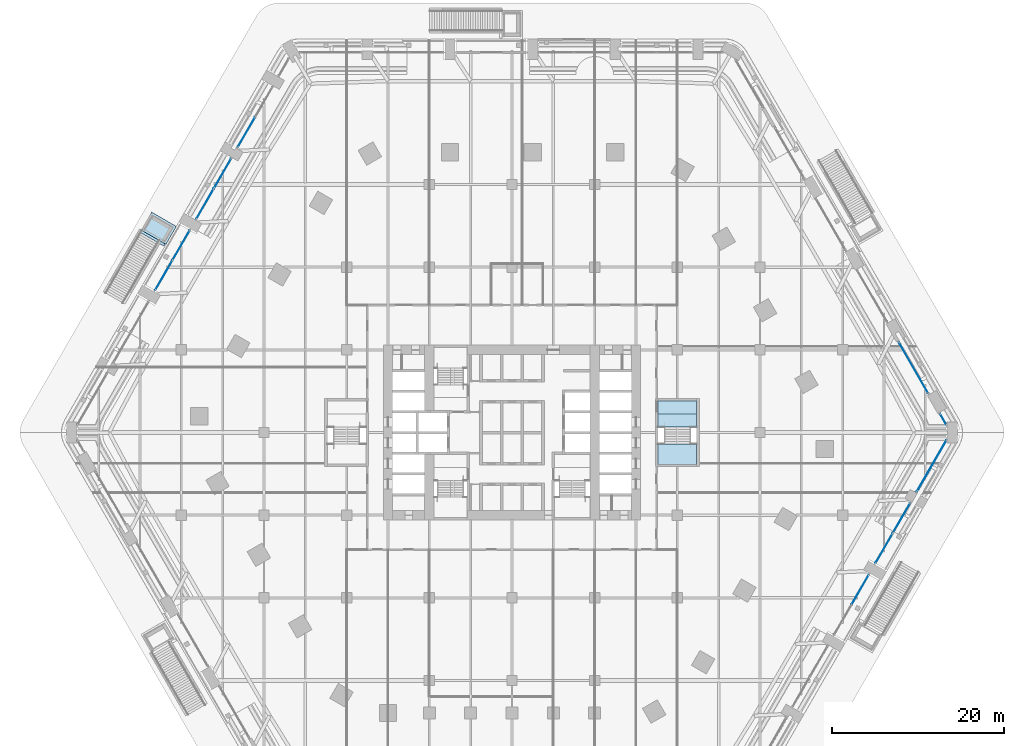
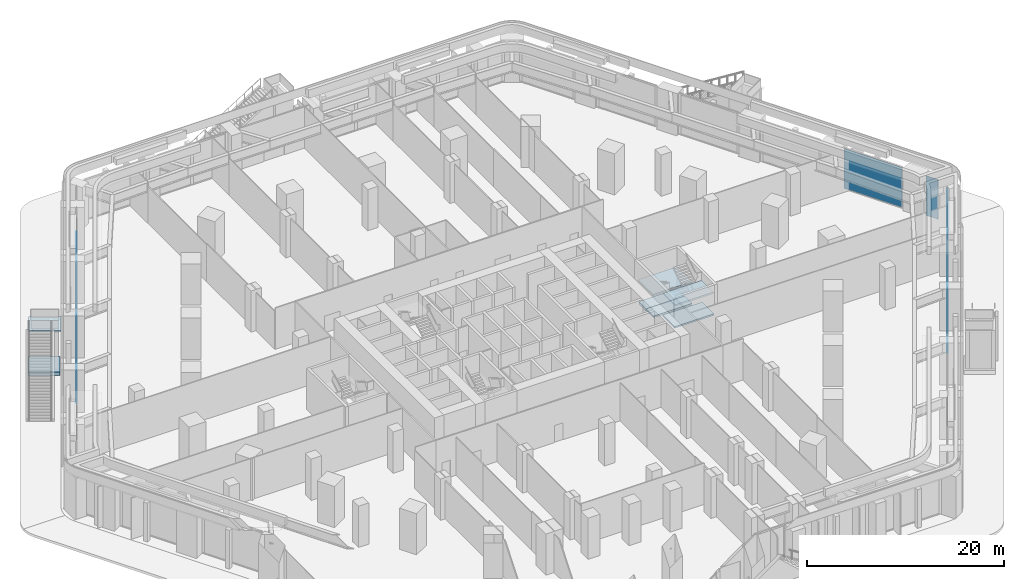
# One storey, part 15 of 34: 11 plates, 7 slabs, 10 elements without a shape of their own.
"""IFC4 building model written with IfcOpenShell, lengths in metres."""

from ifc_helpers import new_model, si_unit, direction, frame, origin, origin_2d, place, context, subcontext, project, spatial, polyline, rectangle, outline, extrude, material, layer, layer_set, type_object, element, aggregate, save


model = new_model("IFC4")

# Units and contexts
model_context = context("Model", 3, precision=1e-05, world=origin(), true_north=direction((0.0, 1.0)))
body_context = subcontext(model_context, "Body", "Model", "MODEL_VIEW")
ifc_project = project(units=[si_unit("LENGTHUNIT", "METRE"), si_unit("AREAUNIT", "SQUARE_METRE"), si_unit("VOLUMEUNIT", "CUBIC_METRE"), si_unit("PLANEANGLEUNIT", "RADIAN"), si_unit("MASSUNIT", "GRAM", prefix="KILO")], contexts=[model_context])

# Site, building, storey
site_placement = place(None, origin())
site = spatial("IfcSite", under=ifc_project, at=site_placement, CompositionType="ELEMENT")
building_placement = place(site_placement, origin())
building = spatial("IfcBuilding", under=site, at=building_placement, Name="Kolab Exchange Tower", CompositionType="ELEMENT")
storey_placement = place(building_placement, frame((0.0, 0.0, 7.0)))
storey = spatial("IfcBuildingStorey", under=building, at=storey_placement, Name="L01", CompositionType="ELEMENT", Elevation=7.0)

# Slab
ifc_material_1 = material(Name="Concrete C35/45", Category="concrete")
ifc_layer_1 = layer(ifc_material_1, 0.300048828125)
ifc_layer_set_1 = layer_set([ifc_layer_1], Name="Concrete C35/45")
slab_type_1 = type_object("IfcSlabType", Name="FLOOR SLAB 300", PredefinedType="FLOOR", material=ifc_layer_set_1)
slab_1_placement = place(storey_placement, frame((0.0, 0.0, -0.300048828125)))
element("IfcSlab", 1, at=slab_1_placement, inside=storey, type_object=slab_type_1, Name="slab/L01/floor/9", PredefinedType="FLOOR", context=body_context, shape_type="SweptSolid", body=[
    extrude(outline(polyline([(21.449951171875, 3.64990234375), (16.949951171875, 3.64990234375), (16.949951171875, 2.14990234375), (21.449951171875, 2.14990234375), (21.449951171875, 3.64990234375)])), origin(), (0.0, 0.0, 1.0), 0.300048828125),
])

# Stair, slab
ifc_material_2 = material(Name="Concrete C40/50", Category="concrete")
stair_type_1 = type_object("IfcStairType", Name="GARDEN STAIR RUN B", PredefinedType="STRAIGHT_RUN_STAIR", material=ifc_material_2)
stair_1_placement = place(storey_placement, origin())
stair_1 = element("IfcStair", 2, at=stair_1_placement, inside=storey, type_object=stair_type_1, Name="Garden stair GS6 run B", PredefinedType="STRAIGHT_RUN_STAIR")
ifc_layer_2 = layer(ifc_material_2, 0.199951171875)
ifc_layer_set_2 = layer_set([ifc_layer_2], Name="Concrete C40/50")
slab_type_2 = type_object("IfcSlabType", Name="GARDEN STAIR LANDING 200", PredefinedType="LANDING", material=ifc_layer_set_2)
slab_2_placement = place(storey_placement, frame((0.0, 0.0, 5.199951171875)))
slab_2 = element("IfcSlab", 3, at=slab_2_placement, type_object=slab_type_2, Name="GS6 landing 1", PredefinedType="LANDING", context=body_context, shape_type="SweptSolid", body=[
    extrude(outline(polyline([(-40.1826171875, 21.854248046875), (-38.97998046875, 23.93701171875), (-41.837890625, 25.5869140625), (-43.040283203125, 23.504150390625), (-40.1826171875, 21.854248046875)])), origin(), (0.0, 0.0, 1.0), 0.199951171875),
])
aggregate(stair_1, [slab_2])

# Curtain wall, plate
ifc_material_3 = material(Name="Aluminium EN AW-6063 T6", Category="aluminium")
curtain_wall_type = type_object("IfcCurtainWallType", Name="PODIUM STRUCTURAL GLAZING CURTAIN WALL", PredefinedType="NOTDEFINED", material=ifc_material_3)
curtain_wall_1_placement = place(storey_placement, origin())
curtain_wall_1 = element("IfcCurtainWall", 4, at=curtain_wall_1_placement, inside=storey, type_object=curtain_wall_type, Name="cw/L01/F2-5", PredefinedType="NOTDEFINED")
ifc_material_4 = material(Name="Clear insulated glazing unit", Category="glass")
ifc_layer_3 = layer(ifc_material_4, 0.035888671875)
ifc_layer_set_3 = layer_set([ifc_layer_3], Name="Clear insulated glazing unit")
plate_type = type_object("IfcPlateType", Name="PODIUM STRUCTURAL GLAZING GLASS PANEL 36", PredefinedType="CURTAIN_PANEL", material=ifc_layer_set_3)
plate_1_placement = place(storey_placement, frame((46.631591796875, 7.52392578125, 0.080078125), z_axis=(0.0, 0.0, 1.0), x_axis=(0.500000019755, -0.866025392379, 0.0)))
plate_1 = element("IfcPlate", 5, at=plate_1_placement, type_object=plate_type, Name="CW5 panel 1.1", PredefinedType="CURTAIN_PANEL", context=body_context, shape_type="SweptSolid", body=[
    extrude(rectangle(XDim=6.820068359375, YDim=0.035888671875, at=origin_2d()), origin(), (0.0, 0.0, 1.0), 4.93994140625),
])
aggregate(curtain_wall_1, [plate_1])

curtain_wall_2_placement = place(storey_placement, origin())
curtain_wall_2 = element("IfcCurtainWall", 6, at=curtain_wall_2_placement, inside=storey, type_object=curtain_wall_type, Name="cw/L01/F2-6", PredefinedType="NOTDEFINED")
plate_2_placement = place(storey_placement, frame((50.083740234375, 1.544677734375, 0.080078125), z_axis=(0.0, 0.0, 1.0), x_axis=(0.499999980456, -0.866025415068, 0.0)))
plate_2 = element("IfcPlate", 7, at=plate_2_placement, type_object=plate_type, Name="CW5 panel 1.1", PredefinedType="CURTAIN_PANEL", context=body_context, shape_type="SweptSolid", body=[
    extrude(rectangle(XDim=1.428466796875, YDim=0.035888671875, at=origin_2d()), origin(), (0.0, 0.0, 1.0), 4.93994140625),
])
aggregate(curtain_wall_2, [plate_2])

curtain_wall_3_placement = place(storey_placement, origin())
curtain_wall_3 = element("IfcCurtainWall", 8, at=curtain_wall_3_placement, inside=storey, type_object=curtain_wall_type, Name="cw/L01/F3-1", PredefinedType="NOTDEFINED")
plate_3_placement = place(storey_placement, frame((48.73388671875, -3.8828125, 0.080078125), z_axis=(0.0, 0.0, 1.0), x_axis=(-0.49999994477, -0.866025435672, 0.0)))
plate_3 = element("IfcPlate", 9, at=plate_3_placement, type_object=plate_type, Name="CW5 panel 1.1", PredefinedType="CURTAIN_PANEL", context=body_context, shape_type="SweptSolid", body=[
    extrude(rectangle(XDim=6.828369140625, YDim=0.035888671875, at=origin_2d()), origin(), (0.0, 0.0, 1.0), 4.93994140625),
])
aggregate(curtain_wall_3, [plate_3])

# Curtain wall, plates
curtain_wall_4_placement = place(storey_placement, origin())
curtain_wall_4 = element("IfcCurtainWall", 10, at=curtain_wall_4_placement, inside=storey, type_object=curtain_wall_type, Name="cw/L01/F3-2", PredefinedType="NOTDEFINED")
plate_4_placement = place(storey_placement, frame((45.244140625, -9.927001953125, 0.080078125), z_axis=(0.0, 0.0, 1.0), x_axis=(-0.499999989571, -0.866025409806, 0.0)))
plate_4 = element("IfcPlate", 11, at=plate_4_placement, type_object=plate_type, Name="CW5 panel 1.1", PredefinedType="CURTAIN_PANEL", context=body_context, shape_type="SweptSolid", body=[
    extrude(rectangle(XDim=3.969970703125, YDim=0.035888671875, at=origin_2d()), origin(), (0.0, 0.0, 1.0), 4.93994140625),
])
plate_5_placement = place(storey_placement, frame((43.21923828125, -13.4345703125, 0.080078125), z_axis=(0.0, 0.0, 1.0), x_axis=(-0.499999989571, -0.866025409806, 0.0)))
plate_5 = element("IfcPlate", 12, at=plate_5_placement, type_object=plate_type, Name="CW5 panel 2.1", PredefinedType="CURTAIN_PANEL", context=body_context, shape_type="SweptSolid", body=[
    extrude(rectangle(XDim=3.969970703125, YDim=0.035888671875, at=origin_2d()), origin(), (0.0, 0.0, 1.0), 4.93994140625),
])
aggregate(curtain_wall_4, [plate_4, plate_5])

# Curtain wall, plate
curtain_wall_5_placement = place(storey_placement, origin())
curtain_wall_5 = element("IfcCurtainWall", 13, at=curtain_wall_5_placement, inside=storey, type_object=curtain_wall_type, Name="cw/L01/F3-3", PredefinedType="NOTDEFINED")
plate_6_placement = place(storey_placement, frame((40.444091796875, -18.240966796875, 0.080078125), z_axis=(0.0, 0.0, 1.0), x_axis=(-0.499999989571, -0.866025409806, 0.0)))
plate_6 = element("IfcPlate", 14, at=plate_6_placement, type_object=plate_type, Name="CW5 panel 1.1", PredefinedType="CURTAIN_PANEL", context=body_context, shape_type="SweptSolid", body=[
    extrude(rectangle(XDim=3.969970703125, YDim=0.035888671875, at=origin_2d()), origin(), (0.0, 0.0, 1.0), 4.93994140625),
])
aggregate(curtain_wall_5, [plate_6])

# Curtain wall, plates
curtain_wall_6_placement = place(storey_placement, origin())
curtain_wall_6 = element("IfcCurtainWall", 15, at=curtain_wall_6_placement, inside=storey, type_object=curtain_wall_type, Name="cw/L01/F6-3", PredefinedType="NOTDEFINED")
plate_7_placement = place(storey_placement, frame((-40.444091796875, 18.240966796875, 0.080078125), z_axis=(0.0, 0.0, 1.0), x_axis=(0.499999989571, 0.866025409806, 0.0)))
plate_7 = element("IfcPlate", 16, at=plate_7_placement, type_object=plate_type, Name="CW5 panel 1.1", PredefinedType="CURTAIN_PANEL", context=body_context, shape_type="SweptSolid", body=[
    extrude(rectangle(XDim=3.969970703125, YDim=0.035888671875, at=origin_2d()), origin(), (0.0, 0.0, 1.0), 4.93994140625),
])
plate_8_placement = place(storey_placement, frame((-38.419189453125, 21.748291015625, 0.080078125), z_axis=(0.0, 0.0, 1.0), x_axis=(0.499999989571, 0.866025409806, 0.0)))
plate_8 = element("IfcPlate", 17, at=plate_8_placement, type_object=plate_type, Name="CW5 panel 2.1", PredefinedType="CURTAIN_PANEL", context=body_context, shape_type="SweptSolid", body=[
    extrude(rectangle(XDim=3.969970703125, YDim=0.035888671875, at=origin_2d()), origin(), (0.0, 0.0, 1.0), 4.93994140625),
])
aggregate(curtain_wall_6, [plate_7, plate_8])

curtain_wall_7_placement = place(storey_placement, origin())
curtain_wall_7 = element("IfcCurtainWall", 18, at=curtain_wall_7_placement, inside=storey, type_object=curtain_wall_type, Name="cw/L01/F6-4", PredefinedType="NOTDEFINED")
plate_9_placement = place(storey_placement, frame((-35.644287109375, 26.5546875, 0.080078125), z_axis=(0.0, 0.0, 1.0), x_axis=(0.499999989571, 0.866025409806, 0.0)))
plate_9 = element("IfcPlate", 19, at=plate_9_placement, type_object=plate_type, Name="CW5 panel 1.1", PredefinedType="CURTAIN_PANEL", context=body_context, shape_type="SweptSolid", body=[
    extrude(rectangle(XDim=3.969970703125, YDim=0.035888671875, at=origin_2d()), origin(), (0.0, 0.0, 1.0), 4.93994140625),
])
plate_10_placement = place(storey_placement, frame((-33.619140625, 30.062255859375, 0.080078125), z_axis=(0.0, 0.0, 1.0), x_axis=(0.499999989571, 0.866025409806, 0.0)))
plate_10 = element("IfcPlate", 20, at=plate_10_placement, type_object=plate_type, Name="CW5 panel 2.1", PredefinedType="CURTAIN_PANEL", context=body_context, shape_type="SweptSolid", body=[
    extrude(rectangle(XDim=3.969970703125, YDim=0.035888671875, at=origin_2d()), origin(), (0.0, 0.0, 1.0), 4.93994140625),
])
aggregate(curtain_wall_7, [plate_9, plate_10])

# Curtain wall, plate
curtain_wall_8_placement = place(storey_placement, origin())
curtain_wall_8 = element("IfcCurtainWall", 21, at=curtain_wall_8_placement, inside=storey, type_object=curtain_wall_type, Name="cw/L01/F6-5", PredefinedType="NOTDEFINED")
plate_11_placement = place(storey_placement, frame((-30.84423828125, 34.86865234375, 0.080078125), z_axis=(0.0, 0.0, 1.0), x_axis=(0.500000042503, 0.866025379245, 0.0)))
plate_11 = element("IfcPlate", 22, at=plate_11_placement, type_object=plate_type, Name="CW5 panel 1.1", PredefinedType="CURTAIN_PANEL", context=body_context, shape_type="SweptSolid", body=[
    extrude(rectangle(XDim=3.969970703125, YDim=0.035888671875, at=origin_2d()), origin(), (0.0, 0.0, 1.0), 4.93994140625),
])
aggregate(curtain_wall_8, [plate_11])

# Stair, slabs
ifc_material_5 = material(Name="Concrete C50/60", Category="concrete")
stair_type_2 = type_object("IfcStairType", Name="STAIR ST4 RISER 168.8", PredefinedType="DOUBLE_RETURN_STAIR", material=ifc_material_5)
stair_2_placement = place(storey_placement, origin())
stair_2 = element("IfcStair", 23, at=stair_2_placement, inside=storey, type_object=stair_type_2, Name="Stair 4", PredefinedType="DOUBLE_RETURN_STAIR")
ifc_layer_4 = layer(ifc_material_5, 0.199951171875)
ifc_layer_set_4 = layer_set([ifc_layer_4], Name="Concrete C50/60")
slab_type_3 = type_object("IfcSlabType", Name="STAIR LANDING 200", PredefinedType="LANDING", material=ifc_layer_set_4)
slab_3_placement = place(storey_placement, frame((0.0, 0.0, -0.199951171875)))
slab_3 = element("IfcSlab", 24, at=slab_3_placement, type_object=slab_type_3, Name="ST4 landing 1", PredefinedType="LANDING", context=body_context, shape_type="SweptSolid", body=[
    extrude(outline(polyline([(16.949951171875, 0.64990234375), (21.449951171875, 0.64990234375), (21.449951171875, 2.14990234375), (16.949951171875, 2.14990234375), (16.949951171875, 0.64990234375)])), origin(), (0.0, 0.0, 1.0), 0.199951171875),
])
slab_4_placement = place(storey_placement, frame((0.0, 0.0, 1.14990234375)))
slab_4 = element("IfcSlab", 25, at=slab_4_placement, type_object=slab_type_3, Name="ST4 landing 2", PredefinedType="LANDING", context=body_context, shape_type="SweptSolid", body=[
    extrude(outline(polyline([(16.889892578125, -3.7099609375), (21.510009765625, -3.7099609375), (21.510009765625, -1.31005859375), (16.889892578125, -1.31005859375), (16.889892578125, -3.7099609375)])), origin(), (0.0, 0.0, 1.0), 0.2001953125),
])
slab_5_placement = place(storey_placement, frame((0.0, 0.0, 2.5)))
slab_5 = element("IfcSlab", 26, at=slab_5_placement, type_object=slab_type_3, Name="ST4 landing 3", PredefinedType="LANDING", context=body_context, shape_type="SweptSolid", body=[
    extrude(outline(polyline([(16.889892578125, 0.64990234375), (21.510009765625, 0.64990234375), (21.510009765625, 3.7099609375), (16.889892578125, 3.7099609375), (16.889892578125, 0.64990234375)])), origin(), (0.0, 0.0, 1.0), 0.199951171875),
])
slab_6_placement = place(storey_placement, frame((0.0, 0.0, 3.85009765625)))
slab_6 = element("IfcSlab", 27, at=slab_6_placement, type_object=slab_type_3, Name="ST4 landing 4", PredefinedType="LANDING", context=body_context, shape_type="SweptSolid", body=[
    extrude(outline(polyline([(16.949951171875, -3.7099609375), (21.449951171875, -3.7099609375), (21.449951171875, -1.31005859375), (16.949951171875, -1.31005859375), (16.949951171875, -3.7099609375)])), origin(), (0.0, 0.0, 1.0), 0.199951171875),
])
aggregate(stair_2, [slab_3, slab_4, slab_5, slab_6])

# Slab
ifc_layer_5 = layer(ifc_material_2, 0.449951171875)
ifc_layer_set_5 = layer_set([ifc_layer_5], Name="Concrete C40/50")
slab_type_4 = type_object("IfcSlabType", Name="STAIR PIER PLINTH 450", PredefinedType="FLOOR", material=ifc_layer_set_5)
slab_7_placement = place(storey_placement, origin())
element("IfcSlab", 28, at=slab_7_placement, inside=storey, type_object=slab_type_4, Name="Stair pier plinth", PredefinedType="FLOOR", context=body_context, shape_type="SweptSolid", body=[
    extrude(outline(polyline([(-40.41650390625, 21.648681640625), (-39.066650390625, 23.987060546875), (-41.837890625, 25.5869140625), (-43.18798828125, 23.248779296875), (-40.41650390625, 21.648681640625)])), origin(), (0.0, 0.0, 1.0), 0.449951171875),
])

save(model, "model.ifc")
